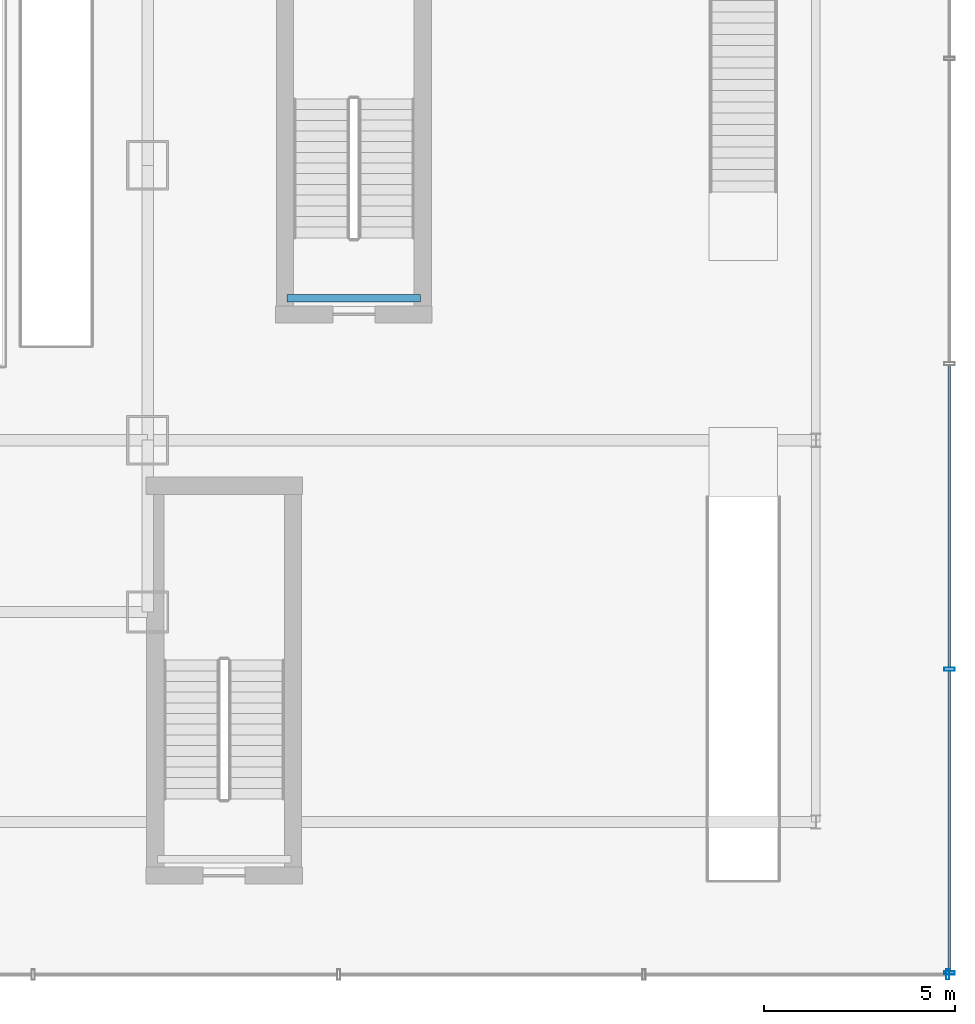
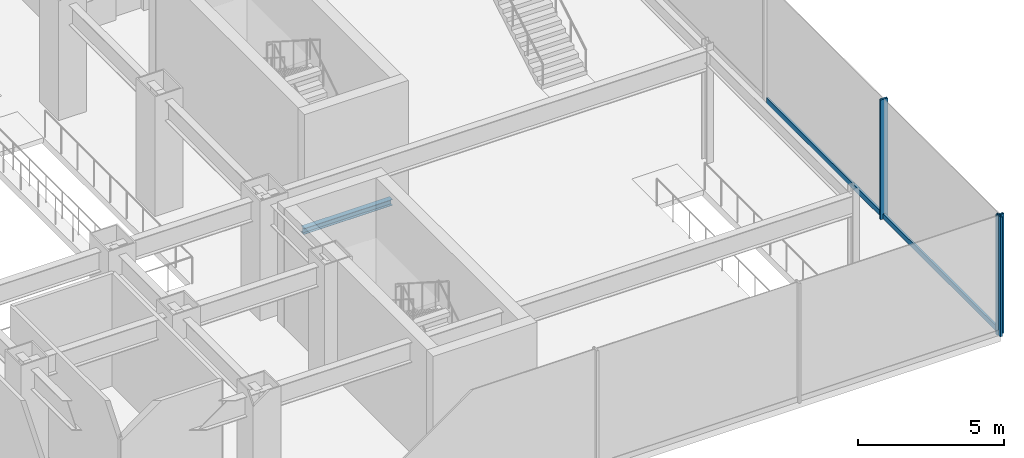
# One storey, part 21 of 40: 5 members, 1 beam, 2 elements without a shape of their own.
"""IFC4 building model written with IfcOpenShell, lengths in metres."""

from ifc_helpers import new_model, si_unit, derived_unit, direction, frame, origin, origin_2d, place, context, subcontext, project, spatial, hollow_rectangle, i_section, extrude, source, transform, mapped, material, material_profile, profile_set, type_object, element, aggregate, save


model = new_model("IFC4")

# Units and contexts
model_context = context("Model", 3, precision=1e-05, world=origin(), true_north=direction((0.0, 1.0)))
body_context = subcontext(model_context, "Body", "Model", "MODEL_VIEW")
ifc_project = project(units=[si_unit("LENGTHUNIT", "METRE"), si_unit("AREAUNIT", "SQUARE_METRE"), si_unit("VOLUMEUNIT", "CUBIC_METRE"), si_unit("PLANEANGLEUNIT", "RADIAN"), si_unit("MASSUNIT", "GRAM", prefix="KILO"), derived_unit("THERMALTRANSMITTANCEUNIT", [(si_unit("POWERUNIT", "WATT"), 1), (si_unit("LENGTHUNIT", "METRE"), -2), (si_unit("THERMODYNAMICTEMPERATUREUNIT", "KELVIN"), -1)])], contexts=[model_context])

# Site, building, storey
site_placement = place(None, origin())
site = spatial("IfcSite", under=ifc_project, at=site_placement, CompositionType="ELEMENT")
building_placement = place(site_placement, origin())
building = spatial("IfcBuilding", under=site, at=building_placement, Name="Skarnbrae Concourse Arena and Tower", CompositionType="ELEMENT")
storey_placement = place(building_placement, frame((0.0, 0.0, 6.0)))
storey = spatial("IfcBuildingStorey", under=building, at=storey_placement, Name="L01", CompositionType="ELEMENT", Elevation=6.0)

# Curtain wall, member
ifc_material_1 = material(Name="Bronze anodised aluminium 6063-T6", Category="aluminium")
curtain_wall_type = type_object("IfcCurtainWallType", Name="CW-SYS-01-PODIUM", PredefinedType="USERDEFINED", material=ifc_material_1)
curtain_wall_1_placement = place(storey_placement, origin())
curtain_wall_1 = element("IfcCurtainWall", 1, at=curtain_wall_1_placement, inside=storey, type_object=curtain_wall_type, Name="L01 Unitised curtain wall CW-L01-SE", ObjectType="UNITISED CURTAIN WALL", PredefinedType="USERDEFINED")
ifc_material_profile_1 = material_profile(ifc_material_1, hollow_rectangle(XDim=0.0849609375, YDim=0.280029296875, WallThickness=0.006103515625, at=origin_2d()), Name="ALU-MULL-85X280")
ifc_profile_set_1 = profile_set([ifc_material_profile_1], Name="Bronze anodised aluminium 6063-T6")
member_type_1 = type_object("IfcMemberType", Name="CWM-CW-01", PredefinedType="MULLION", material=ifc_profile_set_1)
shared_shape_1 = source(origin(), body_context, "Body", "SweptSolid", [
    extrude(hollow_rectangle(XDim=0.0849609375, YDim=0.280029296875, WallThickness=0.006103515625, at=origin_2d()), origin(), (0.0, 0.0, 1.0), 5.0),
])
member_1_placement = place(storey_placement, frame((81.95751953125, 0.0, 0.0), z_axis=(0.0, 0.0, 1.0), x_axis=(1.0, 0.0, 0.0)))
member_1 = element("IfcMember", 2, at=member_1_placement, type_object=member_type_1, Name="CW-L01-SE Mullion 7", PredefinedType="MULLION", context=body_context, shape_type="MappedRepresentation", body=[
    mapped(shared_shape_1, transform((0.0, 0.0, 0.0))),
])
aggregate(curtain_wall_1, [member_1])

# Curtain wall, members
curtain_wall_2_placement = place(storey_placement, origin())
curtain_wall_2 = element("IfcCurtainWall", 3, at=curtain_wall_2_placement, inside=storey, type_object=curtain_wall_type, Name="L01 Unitised curtain wall CW-L01-E", ObjectType="UNITISED CURTAIN WALL", PredefinedType="USERDEFINED")
member_2_placement = place(storey_placement, frame((82.0, 0.04248046875, 0.0), z_axis=(0.0, 0.0, 1.0), x_axis=(0.0, 1.0, 0.0)))
member_2 = element("IfcMember", 4, at=member_2_placement, type_object=member_type_1, Name="CW-L01-E Mullion 1", PredefinedType="MULLION", context=body_context, shape_type="MappedRepresentation", body=[
    mapped(shared_shape_1, transform((0.0, 0.0, 0.0))),
])
member_3_placement = place(storey_placement, frame((82.0, 8.0, 0.0), z_axis=(0.0, 0.0, 1.0), x_axis=(0.0, 1.0, 0.0)))
member_3 = element("IfcMember", 5, at=member_3_placement, type_object=member_type_1, Name="CW-L01-E Mullion 2", PredefinedType="MULLION", context=body_context, shape_type="MappedRepresentation", body=[
    mapped(shared_shape_1, transform((0.0, 0.0, 0.0))),
])
ifc_material_profile_2 = material_profile(ifc_material_1, hollow_rectangle(XDim=0.0849609375, YDim=0.219970703125, WallThickness=0.006103515625, at=origin_2d()), Name="ALU-TRAN-85X220")
ifc_profile_set_2 = profile_set([ifc_material_profile_2], Name="Bronze anodised aluminium 6063-T6")
member_type_2 = type_object("IfcMemberType", Name="CWT-CW-01", PredefinedType="USERDEFINED", material=ifc_profile_set_2)
shared_shape_2 = source(origin(), body_context, "Body", "SweptSolid", [
    extrude(hollow_rectangle(XDim=0.0849609375, YDim=0.219970703125, WallThickness=0.006103515625, at=origin_2d()), origin(), (0.0, 0.0, 1.0), 7.87255859375),
])
member_4_placement = place(storey_placement, frame((82.0, 0.0849609375, 0.110107421875), z_axis=(0.0, 1.0, 0.0), x_axis=(-1.0, 0.0, 0.0)))
member_4 = element("IfcMember", 6, at=member_4_placement, type_object=member_type_2, Name="CW-L01-E Transom 1", ObjectType="TRANSOM", PredefinedType="USERDEFINED", context=body_context, shape_type="MappedRepresentation", body=[
    mapped(shared_shape_2, transform((0.0, 0.0, 0.0))),
])
shared_shape_3 = source(origin(), body_context, "Body", "SweptSolid", [
    extrude(hollow_rectangle(XDim=0.0849609375, YDim=0.219970703125, WallThickness=0.006103515625, at=origin_2d()), origin(), (0.0, 0.0, 1.0), 7.9150390625),
])
member_5_placement = place(storey_placement, frame((82.0, 8.04248046875, 0.110107421875), z_axis=(0.0, 1.0, 0.0), x_axis=(-1.0, 0.0, 0.0)))
member_5 = element("IfcMember", 7, at=member_5_placement, type_object=member_type_2, Name="CW-L01-E Transom 2", ObjectType="TRANSOM", PredefinedType="USERDEFINED", context=body_context, shape_type="MappedRepresentation", body=[
    mapped(shared_shape_3, transform((0.0, 0.0, 0.0))),
])
aggregate(curtain_wall_2, [member_2, member_3, member_4, member_5])

# Beam
ifc_material_2 = material(Name="Steel CSA G40.21 350W", Category="steel")
ifc_material_profile_3 = material_profile(ifc_material_2, i_section(OverallWidth=0.202880859375, OverallDepth=0.251953125, WebThickness=0.008056640625, FlangeThickness=0.013427734375, at=origin_2d()), Name="W250X58")
ifc_profile_set_3 = profile_set([ifc_material_profile_3], Name="Steel CSA G40.21 350W")
beam_type = type_object("IfcBeamType", Name="BM-LINTEL-W250X58", PredefinedType="LINTEL", material=ifc_profile_set_3)
shared_shape_4 = source(origin(), body_context, "Body", "SweptSolid", [
    extrude(i_section(OverallWidth=0.202880859375, OverallDepth=0.251953125, WebThickness=0.008056640625, FlangeThickness=0.013427734375, at=origin_2d()), origin(), (0.0, 0.0, 1.0), 3.5),
])
beam_placement = place(storey_placement, frame((68.14990234375, 17.719970703125, -0.325927734375), z_axis=(-1.0, 0.0, 0.0), x_axis=(0.0, -1.0, 0.0)))
element("IfcBeam", 8, at=beam_placement, inside=storey, type_object=beam_type, Name="L01 Stair ST-A2 near landing soffit beam", PredefinedType="LINTEL", context=body_context, shape_type="MappedRepresentation", body=[
    mapped(shared_shape_4, transform((0.0, 0.0, 0.0))),
])

save(model, "model.ifc")
